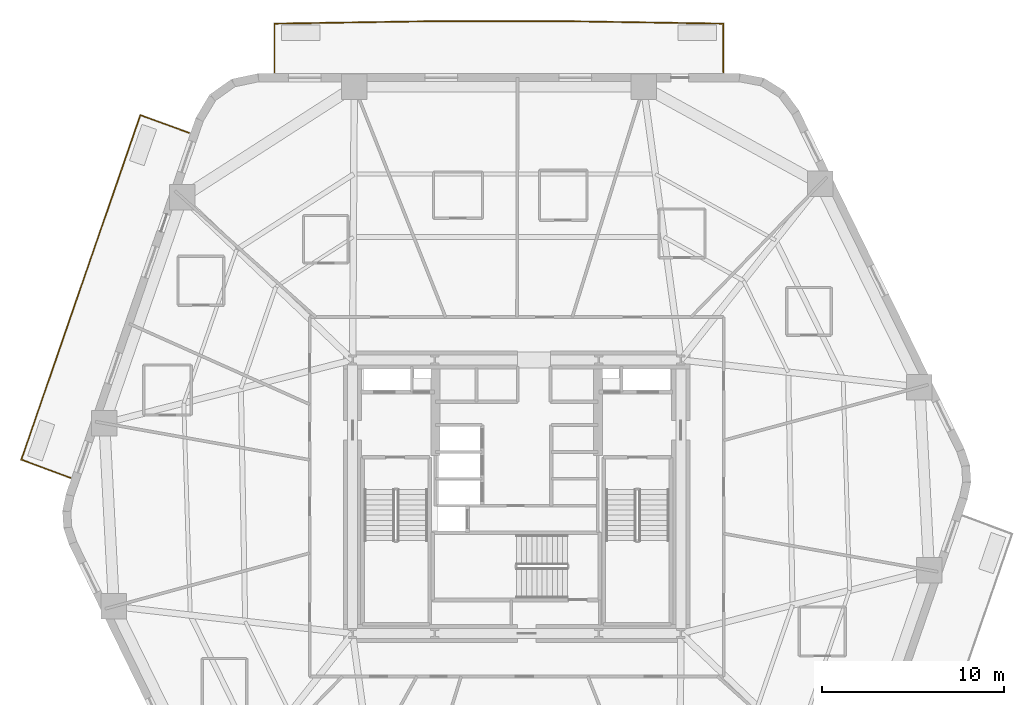
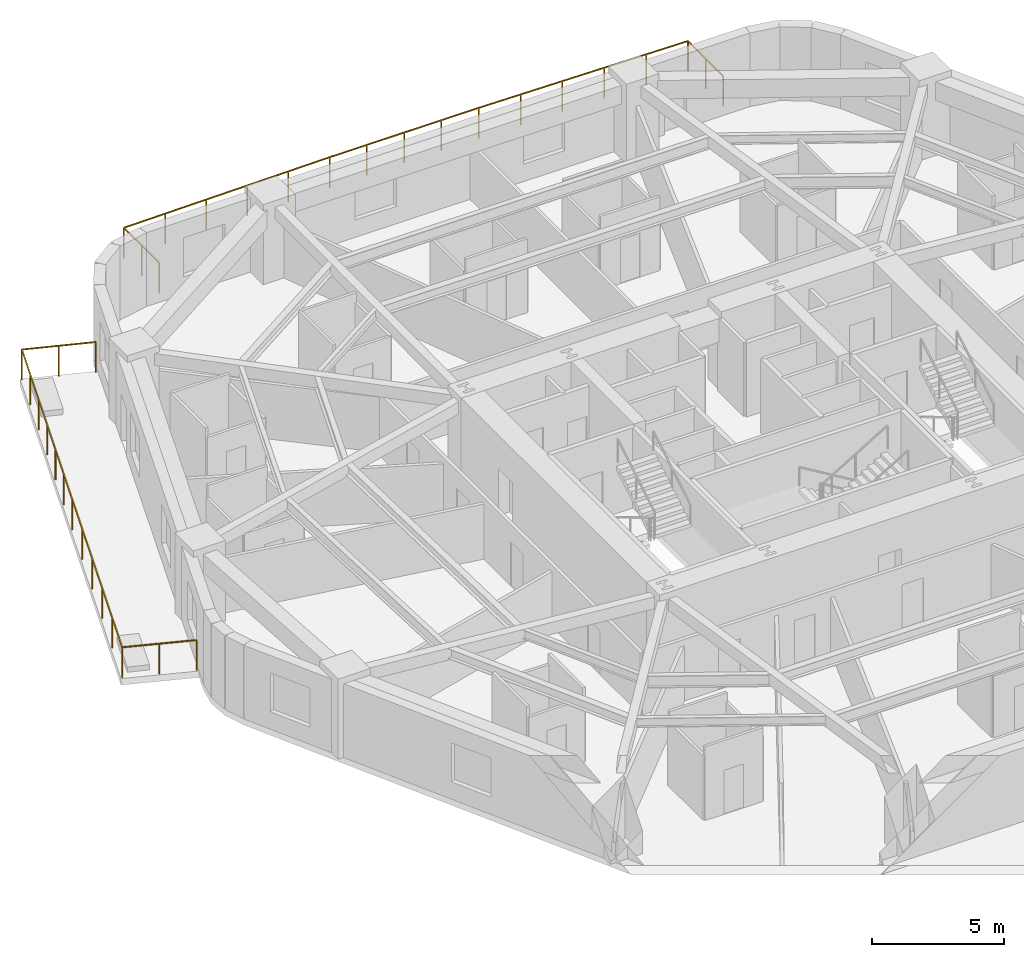
# One storey, part 10 of 10: 2 railings.
"""IFC4 building model written with IfcOpenShell, lengths in metres."""

import ifcopenshell
import ifcopenshell.guid

model = None  # the IFC model being written
_history = None  # IfcOwnerHistory: only IFC2X3 demands one
_inside = {}  # id of a spatial element -> (the spatial element, [elements in it])
_under = {}  # id of a project, library or spatial element -> (it, [spatial elements below it])
_declared = {}  # id of a project -> (the project, [libraries it declares])
_typed = {}  # id of a type object -> (the type object, [elements of that type])
_made_of = {}  # id of a material, layer set ... -> (it, [elements and type objects made of it])


def new_model(schema):
    """Start an empty IFC model of exactly this schema.

    Asked for "IFC4X3", IfcOpenShell would pick the latest addendum, in which some entities
    have other attributes; the version numbers below select the first issue.
    IFC2X3 requires an IfcOwnerHistory on every rooted entity: one is made here for all.
    """
    global model, _history
    if schema == "IFC4X3":
        model = ifcopenshell.file(schema_version=(4, 3, 0, 0))
    else:
        model = ifcopenshell.file(schema=schema)
    _inside.clear()
    _under.clear()
    _declared.clear()
    _typed.clear()
    _made_of.clear()
    _history = None
    if model.schema == "IFC2X3":
        org = make("IfcOrganization", Name="unknown")
        user = make(
            "IfcPersonAndOrganization",
            ThePerson=make("IfcPerson", FamilyName="unknown"),
            TheOrganization=org,
        )
        app = make(
            "IfcApplication",
            ApplicationDeveloper=org,
            Version="unknown",
            ApplicationFullName="unknown",
            ApplicationIdentifier="unknown",
        )
        _history = make(
            "IfcOwnerHistory",
            OwningUser=user,
            OwningApplication=app,
            ChangeAction="ADDED",
            CreationDate=0,
        )
    return model


def make(cls, **values):
    """One entity of the class cls with the attributes given. An attribute that is None is left unset."""
    return model.create_entity(
        cls, **{name: value for name, value in values.items() if value is not None}
    )


def rooted(cls, **values):
    """An entity with a GlobalId (a new one), such as an element, a storey or a relation."""
    return make(cls, GlobalId=ifcopenshell.guid.new(), OwnerHistory=_history, **values)


def si_unit(unit_type, name, prefix=None):
    """IfcSIUnit, for example si_unit("LENGTHUNIT", "METRE", prefix="MILLI")."""
    return make("IfcSIUnit", UnitType=unit_type, Prefix=prefix, Name=name)


def assignment(units):
    """IfcUnitAssignment: the units of a project."""
    return None if units is None else make("IfcUnitAssignment", Units=units)


def point(xyz):
    """IfcCartesianPoint."""
    return None if xyz is None else make("IfcCartesianPoint", Coordinates=xyz)


def direction(xyz):
    """IfcDirection."""
    return None if xyz is None else make("IfcDirection", DirectionRatios=xyz)


def frame(location, z_axis=None, x_axis=None):
    """IfcAxis2Placement3D, a coordinate frame: its origin and axes. An axis left out is left unset."""
    return make(
        "IfcAxis2Placement3D",
        Location=point(location),
        Axis=direction(z_axis),
        RefDirection=direction(x_axis),
    )


def frame_2d(location, x_axis=None):
    """IfcAxis2Placement2D, a coordinate frame in the plane: its origin and x axis."""
    return make(
        "IfcAxis2Placement2D", Location=point(location), RefDirection=direction(x_axis)
    )


def origin():
    """The frame at (0, 0, 0) with its axes left unset."""
    return frame((0.0, 0.0, 0.0))


def origin_2d():
    """The frame at (0, 0) in the plane with its x axis left unset."""
    return frame_2d((0.0, 0.0))


def place(relative_to, where):
    """IfcLocalPlacement: puts the frame where relative to a parent placement (None: the world)."""
    return make(
        "IfcLocalPlacement", PlacementRelTo=relative_to, RelativePlacement=where
    )


def context(
    kind, dimensions, precision=None, world=None, true_north=None, identifier=None
):
    """IfcGeometricRepresentationContext, for example the 3D "Model" context."""
    return make(
        "IfcGeometricRepresentationContext",
        ContextIdentifier=identifier,
        ContextType=kind,
        CoordinateSpaceDimension=dimensions,
        Precision=precision,
        WorldCoordinateSystem=world,
        TrueNorth=true_north,
    )


def subcontext(parent, identifier, kind, view, scale=None):
    """IfcGeometricRepresentationSubContext, for example "Body" below "Model"."""
    return make(
        "IfcGeometricRepresentationSubContext",
        ContextIdentifier=identifier,
        ContextType=kind,
        ParentContext=parent,
        TargetScale=scale,
        TargetView=view,
    )


def project(units=None, contexts=None):
    """IfcProject with its units and contexts."""
    return rooted(
        "IfcProject",
        Name="project",
        RepresentationContexts=contexts,
        UnitsInContext=assignment(units),
    )


def spatial(cls, under=None, at=None, **own):
    """A site, building, storey or space (cls), placed at a placement, below another one or the project."""
    s = rooted(cls, ObjectPlacement=at, **own)
    if under is not None:
        _under.setdefault(under.id(), (under, []))[1].append(s)
    return s


def profile(cls, at=None, kind="AREA", **sizes):
    """A parametric profile (cls). Its sizes go by their IFC names, for example OverallWidth=200.0."""
    return make(cls, ProfileType=kind, Position=at, **sizes)


def rectangle(**sizes):
    """IfcRectangleProfileDef."""
    return profile("IfcRectangleProfileDef", **sizes)


def extrude(swept, where, along, depth):
    """IfcExtrudedAreaSolid: the profile swept, set in the frame where, extruded along a direction by depth."""
    return make(
        "IfcExtrudedAreaSolid",
        SweptArea=swept,
        Position=where,
        ExtrudedDirection=direction(along),
        Depth=depth,
    )


def shape(context_of_items, identifier, shape_type, items):
    """IfcShapeRepresentation: the items that make up one representation, for example the "Body"."""
    return make(
        "IfcShapeRepresentation",
        ContextOfItems=context_of_items,
        RepresentationIdentifier=identifier,
        RepresentationType=shape_type,
        Items=items,
    )


def material(Name=None, Category=None):
    """IfcMaterial."""
    return make("IfcMaterial", Name=Name, Category=Category)


def layer(
    of_material, thickness, ventilated=None, Name=None, Category=None, Priority=None
):
    """IfcMaterialLayer: one layer of a wall or slab, of a material (None: an air gap)."""
    return make(
        "IfcMaterialLayer",
        Material=of_material,
        LayerThickness=thickness,
        IsVentilated=ventilated,
        Name=Name,
        Category=Category,
        Priority=Priority,
    )


def layer_set(layers, Name=None):
    """IfcMaterialLayerSet."""
    return make("IfcMaterialLayerSet", MaterialLayers=layers, LayerSetName=Name)


def made_of(thing, what):
    """Note that an element or type object is made of a material, layer set ...; save() writes the relation."""
    if what is not None:
        _made_of.setdefault(what.id(), (what, []))[1].append(thing)
    return thing


def type_object(cls, material=None, **own):
    """A type object (cls), such as IfcWallType, which elements share."""
    return made_of(rooted(cls, **own), material)


def element(
    cls,
    number,
    at=None,
    inside=None,
    cuts=None,
    type_object=None,
    material=None,
    context=None,
    identifier="Body",
    shape_type=None,
    held_by="IfcProductDefinitionShape",
    body=None,
    shapes=None,
    **own,
):
    """One element of the class cls, such as IfcWall. Its Tag is "e" and its number.

    at: its placement. inside: the storey or other place that contains it. cuts: it is an
    opening in that element (IfcRelVoidsElement). A single representation is given by context,
    identifier, shape_type and body (its items); several are given by shapes. held_by: the class
    of the entity that holds the representations. save() writes the other relations.
    """
    e = rooted(cls, Tag="e%d" % number, ObjectPlacement=at, **own)
    if body is not None:
        shapes = [shape(context, identifier, shape_type, body)]
    if shapes is not None:
        e.Representation = make(held_by, Representations=shapes)
    if inside is not None:
        _inside.setdefault(inside.id(), (inside, []))[1].append(e)
    if cuts is not None:
        rooted(
            "IfcRelVoidsElement", RelatingBuildingElement=cuts, RelatedOpeningElement=e
        )
    if type_object is not None:
        _typed.setdefault(type_object.id(), (type_object, []))[1].append(e)
    return made_of(e, material)


def aggregate(whole, parts):
    """IfcRelAggregates: a whole, such as a stair, and the parts it consists of."""
    return rooted("IfcRelAggregates", RelatingObject=whole, RelatedObjects=parts)


def save(model, path):
    """Write the relations noted so far, then the file.

    IfcRelAggregates (storeys below a building ...), IfcRelContainedInSpatialStructure (elements
    in a storey), IfcRelDefinesByType, IfcRelAssociatesMaterial and IfcRelDeclares: one each for
    every whole, place, type object, material and project.
    """
    for whole, parts in _under.values():
        aggregate(whole, parts)
    for where, things in _inside.values():
        rooted(
            "IfcRelContainedInSpatialStructure",
            RelatedElements=things,
            RelatingStructure=where,
        )
    for kind, things in _typed.values():
        rooted("IfcRelDefinesByType", RelatedObjects=things, RelatingType=kind)
    for what, things in _made_of.values():
        rooted("IfcRelAssociatesMaterial", RelatedObjects=things, RelatingMaterial=what)
    for by, libraries in _declared.values():
        rooted("IfcRelDeclares", RelatingContext=by, RelatedDefinitions=libraries)
    model.write(path)


model = new_model("IFC4")

# Units and contexts
model_context = context("Model", 3, precision=1e-05, world=origin(), true_north=direction((0.0, 1.0)))
body_context = subcontext(model_context, "Body", "Model", "MODEL_VIEW")
ifc_project = project(units=[si_unit("LENGTHUNIT", "METRE"), si_unit("AREAUNIT", "SQUARE_METRE"), si_unit("VOLUMEUNIT", "CUBIC_METRE"), si_unit("PLANEANGLEUNIT", "RADIAN"), si_unit("MASSUNIT", "GRAM", prefix="KILO")], contexts=[model_context])

# Site, building, storey
site_placement = place(None, origin())
site = spatial("IfcSite", under=ifc_project, at=site_placement, CompositionType="ELEMENT")
building_placement = place(site_placement, origin())
building = spatial("IfcBuilding", under=site, at=building_placement, Name="Kilnhurst Terrace Hotel", CompositionType="ELEMENT")
storey_placement = place(building_placement, frame((0.0, 0.0, 67.5)))
storey = spatial("IfcBuildingStorey", under=building, at=storey_placement, Name="L15", CompositionType="ELEMENT", Elevation=67.5)

# Railings
ifc_material = material(Name="Laminated SentryGlas and Stainless Steel AISI 316L Balustrade", Category="steel")
ifc_layer = layer(ifc_material, 0.070068359375, Name="Laminated SentryGlas and Stainless Steel AISI 316L Balustrade")
ifc_layer_set = layer_set([ifc_layer], Name="Laminated SentryGlas and Stainless Steel AISI 316L Balustrade")
railing_type = type_object("IfcRailingType", Name="RLG-BAL-1420", PredefinedType="BALUSTRADE", material=ifc_layer_set)
railing_1_placement = place(storey_placement, frame((-13.281494140625, 23.280029296875, 0.0)))
element("IfcRailing", 1, at=railing_1_placement, inside=storey, type_object=railing_type, Name="L15 Exterior Terrace Guardrail BAL-L2A.1", PredefinedType="BALUSTRADE", context=body_context, shape_type="SweptSolid", body=[
    extrude(rectangle(XDim=0.048095703125, YDim=0.048095703125, at=origin_2d()), frame((0.0, 0.0, 1.39599609375), z_axis=(0.0, 1.0, 0.0), x_axis=(-1.0, 0.0, 0.0)), (0.0, 0.0, 1.0), 2.660888671875),
    extrude(rectangle(XDim=0.048095703125, YDim=0.048095703125, at=origin_2d()), frame((0.0, 2.660888671875, 1.39599609375), z_axis=(0.999881869157, 0.015370352358, 0.0), x_axis=(-0.015370352358, 0.999881869157, 0.0)), (0.0, 0.0, 1.0), 9.0537109375),
    extrude(rectangle(XDim=0.048095703125, YDim=0.048095703125, at=origin_2d()), frame((9.052734375, 2.800048828125, 1.39599609375), z_axis=(1.0, 0.0, 0.0), x_axis=(0.0, 1.0, 0.0)), (0.0, 0.0, 1.0), 6.508056640625),
    extrude(rectangle(XDim=0.048095703125, YDim=0.048095703125, at=origin_2d()), frame((15.560791015625, 2.800048828125, 1.39599609375), z_axis=(0.999881869157, -0.015370352358, 0.0), x_axis=(0.015370352358, 0.999881869157, 0.0)), (0.0, 0.0, 1.0), 9.0537109375),
    extrude(rectangle(XDim=0.048095703125, YDim=0.048095703125, at=origin_2d()), frame((24.613525390625, 2.660888671875, 1.39599609375), z_axis=(0.0, -1.0, 0.0), x_axis=(1.0, 0.0, 0.0)), (0.0, 0.0, 1.0), 2.660888671875),
    extrude(rectangle(XDim=0.0419921875, YDim=0.0419921875, at=origin_2d()), origin(), (0.0, 0.0, 1.0), 1.371826171875),
    extrude(rectangle(XDim=0.0419921875, YDim=0.0419921875, at=origin_2d()), frame((0.0, 1.33056640625, 0.0)), (0.0, 0.0, 1.0), 1.371826171875),
    extrude(rectangle(XDim=0.0419921875, YDim=0.0419921875, at=origin_2d()), frame((0.0, 2.660888671875, 0.0)), (0.0, 0.0, 1.0), 1.371826171875),
    extrude(rectangle(XDim=0.0419921875, YDim=0.0419921875, at=origin_2d()), frame((1.810546875, 2.688720703125, 0.0)), (0.0, 0.0, 1.0), 1.371826171875),
    extrude(rectangle(XDim=0.0419921875, YDim=0.0419921875, at=origin_2d()), frame((3.62109375, 2.716552734375, 0.0)), (0.0, 0.0, 1.0), 1.371826171875),
    extrude(rectangle(XDim=0.0419921875, YDim=0.0419921875, at=origin_2d()), frame((5.431640625, 2.744384765625, 0.0)), (0.0, 0.0, 1.0), 1.371826171875),
    extrude(rectangle(XDim=0.0419921875, YDim=0.0419921875, at=origin_2d()), frame((7.2421875, 2.772216796875, 0.0)), (0.0, 0.0, 1.0), 1.371826171875),
    extrude(rectangle(XDim=0.0419921875, YDim=0.0419921875, at=origin_2d()), frame((9.052734375, 2.800048828125, 0.0)), (0.0, 0.0, 1.0), 1.371826171875),
    extrude(rectangle(XDim=0.0419921875, YDim=0.0419921875, at=origin_2d()), frame((10.6796875, 2.800048828125, 0.0)), (0.0, 0.0, 1.0), 1.371826171875),
    extrude(rectangle(XDim=0.0419921875, YDim=0.0419921875, at=origin_2d()), frame((12.306640625, 2.800048828125, 0.0)), (0.0, 0.0, 1.0), 1.371826171875),
    extrude(rectangle(XDim=0.0419921875, YDim=0.0419921875, at=origin_2d()), frame((13.933837890625, 2.800048828125, 0.0)), (0.0, 0.0, 1.0), 1.371826171875),
    extrude(rectangle(XDim=0.0419921875, YDim=0.0419921875, at=origin_2d()), frame((15.560791015625, 2.800048828125, 0.0)), (0.0, 0.0, 1.0), 1.371826171875),
    extrude(rectangle(XDim=0.0419921875, YDim=0.0419921875, at=origin_2d()), frame((17.371337890625, 2.772216796875, 0.0)), (0.0, 0.0, 1.0), 1.371826171875),
    extrude(rectangle(XDim=0.0419921875, YDim=0.0419921875, at=origin_2d()), frame((19.181884765625, 2.744384765625, 0.0)), (0.0, 0.0, 1.0), 1.371826171875),
    extrude(rectangle(XDim=0.0419921875, YDim=0.0419921875, at=origin_2d()), frame((20.992431640625, 2.716552734375, 0.0)), (0.0, 0.0, 1.0), 1.371826171875),
    extrude(rectangle(XDim=0.0419921875, YDim=0.0419921875, at=origin_2d()), frame((22.802978515625, 2.688720703125, 0.0)), (0.0, 0.0, 1.0), 1.371826171875),
    extrude(rectangle(XDim=0.0419921875, YDim=0.0419921875, at=origin_2d()), frame((24.613525390625, 2.660888671875, 0.0)), (0.0, 0.0, 1.0), 1.371826171875),
    extrude(rectangle(XDim=0.0419921875, YDim=0.0419921875, at=origin_2d()), frame((24.613525390625, 1.33056640625, 0.0)), (0.0, 0.0, 1.0), 1.371826171875),
    extrude(rectangle(XDim=0.0419921875, YDim=0.0419921875, at=origin_2d()), frame((24.613525390625, 0.0, 0.0)), (0.0, 0.0, 1.0), 1.371826171875),
])
railing_2_placement = place(storey_placement, frame((-24.485107421875, 1.041748046875, 0.0)))
element("IfcRailing", 2, at=railing_2_placement, inside=storey, type_object=railing_type, Name="L15 Exterior Terrace Guardrail BAL-L2B.1", PredefinedType="BALUSTRADE", context=body_context, shape_type="SweptSolid", body=[
    extrude(rectangle(XDim=0.048095703125, YDim=0.048095703125, at=origin_2d()), frame((0.0, 0.0, 1.39599609375), z_axis=(-0.937279097592, 0.348579823308, 0.0), x_axis=(-0.348579823308, -0.937279097592, 0.0)), (0.0, 0.0, 1.0), 2.85205078125),
    extrude(rectangle(XDim=0.048095703125, YDim=0.048095703125, at=origin_2d()), frame((-2.673095703125, 0.994140625, 1.39599609375), z_axis=(0.326159116329, 0.945314884488, 0.0), x_axis=(-0.945314884488, 0.326159116329, 0.0)), (0.0, 0.0, 1.0), 9.91650390625),
    extrude(rectangle(XDim=0.048095703125, YDim=0.048095703125, at=origin_2d()), frame((0.561279296875, 10.368408203125, 1.39599609375), z_axis=(0.326903959129, 0.945057565181, 0.0), x_axis=(-0.945057565181, 0.326903959129, 0.0)), (0.0, 0.0, 1.0), 10.065673828125),
    extrude(rectangle(XDim=0.048095703125, YDim=0.048095703125, at=origin_2d()), frame((3.851806640625, 19.881103515625, 1.39599609375), z_axis=(0.939926315563, -0.341377388402, 0.0), x_axis=(0.341377388402, 0.939926315563, 0.0)), (0.0, 0.0, 1.0), 2.84130859375),
    extrude(rectangle(XDim=0.0419921875, YDim=0.0419921875, at=origin_2d()), origin(), (0.0, 0.0, 1.0), 1.371826171875),
    extrude(rectangle(XDim=0.0419921875, YDim=0.0419921875, at=origin_2d()), frame((-1.33642578125, 0.4970703125, 0.0)), (0.0, 0.0, 1.0), 1.371826171875),
    extrude(rectangle(XDim=0.0419921875, YDim=0.0419921875, at=origin_2d()), frame((-2.673095703125, 0.994140625, 0.0)), (0.0, 0.0, 1.0), 1.371826171875),
    extrude(rectangle(XDim=0.0419921875, YDim=0.0419921875, at=origin_2d()), frame((-2.026123046875, 2.868896484375, 0.0)), (0.0, 0.0, 1.0), 1.371826171875),
    extrude(rectangle(XDim=0.0419921875, YDim=0.0419921875, at=origin_2d()), frame((-1.37939453125, 4.743896484375, 0.0)), (0.0, 0.0, 1.0), 1.371826171875),
    extrude(rectangle(XDim=0.0419921875, YDim=0.0419921875, at=origin_2d()), frame((-0.732421875, 6.61865234375, 0.0)), (0.0, 0.0, 1.0), 1.371826171875),
    extrude(rectangle(XDim=0.0419921875, YDim=0.0419921875, at=origin_2d()), frame((-0.085693359375, 8.49365234375, 0.0)), (0.0, 0.0, 1.0), 1.371826171875),
    extrude(rectangle(XDim=0.0419921875, YDim=0.0419921875, at=origin_2d()), frame((0.561279296875, 10.368408203125, 0.0)), (0.0, 0.0, 1.0), 1.371826171875),
    extrude(rectangle(XDim=0.0419921875, YDim=0.0419921875, at=origin_2d()), frame((1.109619140625, 11.953857421875, 0.0)), (0.0, 0.0, 1.0), 1.371826171875),
    extrude(rectangle(XDim=0.0419921875, YDim=0.0419921875, at=origin_2d()), frame((1.658203125, 13.539306640625, 0.0)), (0.0, 0.0, 1.0), 1.371826171875),
    extrude(rectangle(XDim=0.0419921875, YDim=0.0419921875, at=origin_2d()), frame((2.20654296875, 15.124755859375, 0.0)), (0.0, 0.0, 1.0), 1.371826171875),
    extrude(rectangle(XDim=0.0419921875, YDim=0.0419921875, at=origin_2d()), frame((2.7548828125, 16.710205078125, 0.0)), (0.0, 0.0, 1.0), 1.371826171875),
    extrude(rectangle(XDim=0.0419921875, YDim=0.0419921875, at=origin_2d()), frame((3.303466796875, 18.295654296875, 0.0)), (0.0, 0.0, 1.0), 1.371826171875),
    extrude(rectangle(XDim=0.0419921875, YDim=0.0419921875, at=origin_2d()), frame((3.851806640625, 19.881103515625, 0.0)), (0.0, 0.0, 1.0), 1.371826171875),
    extrude(rectangle(XDim=0.0419921875, YDim=0.0419921875, at=origin_2d()), frame((5.18701171875, 19.39599609375, 0.0)), (0.0, 0.0, 1.0), 1.371826171875),
    extrude(rectangle(XDim=0.0419921875, YDim=0.0419921875, at=origin_2d()), frame((6.5224609375, 18.9111328125, 0.0)), (0.0, 0.0, 1.0), 1.371826171875),
])

save(model, "model.ifc")
